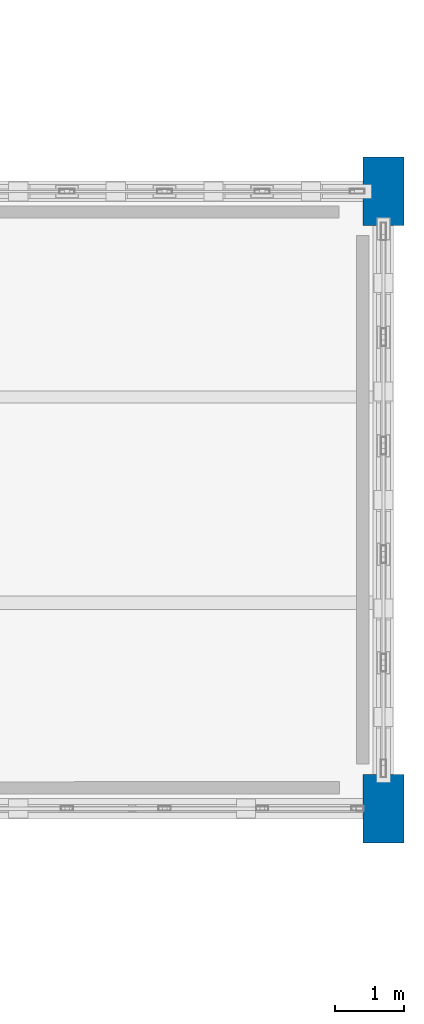
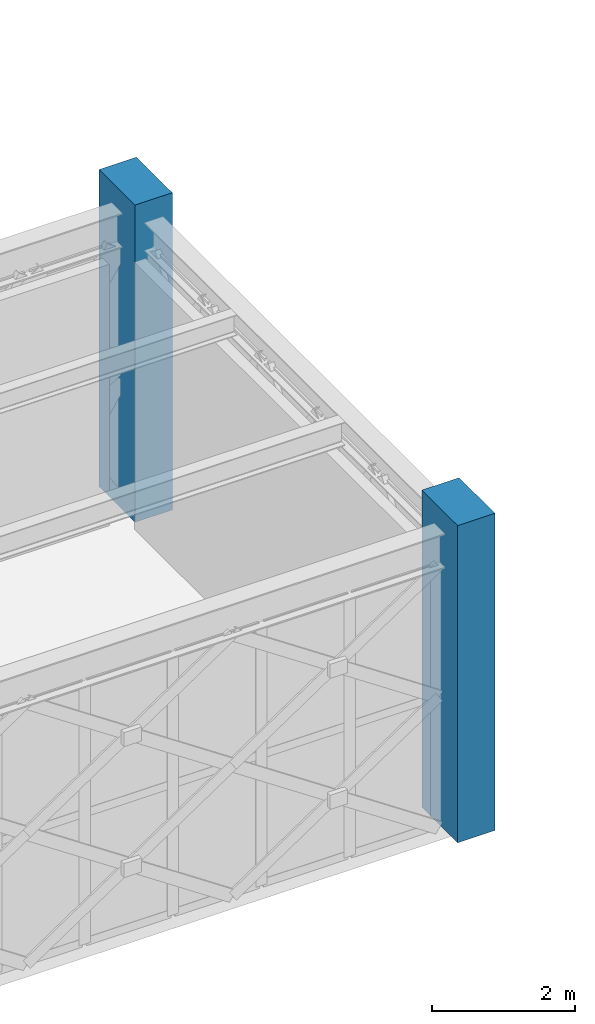
# One storey, part 9 of 155: 2 columns.
"""IFC4 building model written with IfcOpenShell, lengths in metres."""

from ifc_helpers import new_model, si_unit, direction, frame, origin, origin_2d, place, context, subcontext, project, spatial, rectangle, extrude, material, material_profile, profile_set, type_object, element, save


model = new_model("IFC4")

# Units and contexts
model_context = context("Model", 3, precision=1e-05, world=origin(), true_north=direction((0.0, 1.0)))
body_context = subcontext(model_context, "Body", "Model", "MODEL_VIEW")
ifc_project = project(units=[si_unit("LENGTHUNIT", "METRE"), si_unit("AREAUNIT", "SQUARE_METRE"), si_unit("VOLUMEUNIT", "CUBIC_METRE"), si_unit("PLANEANGLEUNIT", "RADIAN"), si_unit("MASSUNIT", "GRAM", prefix="KILO")], contexts=[model_context])

# Site, building, storey
site_placement = place(None, origin())
site = spatial("IfcSite", under=ifc_project, at=site_placement, CompositionType="ELEMENT")
building_placement = place(site_placement, origin())
building = spatial("IfcBuilding", under=site, at=building_placement, Name="Haizhuo Lancet Aquarium", CompositionType="ELEMENT")
storey_placement = place(building_placement, frame((0.0, 0.0, 10.800048828125)))
storey = spatial("IfcBuildingStorey", under=building, at=storey_placement, Name="L02", CompositionType="ELEMENT", Elevation=10.800048828125)

# Columns
ifc_material = material(Name="Concrete C45/55", Category="concrete")
ifc_material_profile = material_profile(ifc_material, rectangle(XDim=0.60009765625, YDim=1.0, at=origin_2d()), Name="RC-PIL 600x1000")
ifc_profile_set = profile_set([ifc_material_profile], Name="Concrete C45/55")
column_type = type_object("IfcColumnType", Name="PIL-RC-600x1000", PredefinedType="PILASTER", material=ifc_profile_set)
for number, where, z_axis, x_axis, name in (
    (1, (82.5, 9.0, 0.0), (0.0, 0.0, 1.0), (1.0, 0.0, 0.0), "L02 column V7-COL-147"),
    (2, (82.5, 18.0, 0.0), (0.0, 0.0, 1.0), (1.0, 0.0, 0.0), "L02 column V7-COL-148"),
):
    element("IfcColumn", number, at=place(storey_placement, frame(where, z_axis=z_axis, x_axis=x_axis)), inside=storey, type_object=column_type, Name=name, PredefinedType="PILASTER", context=body_context, shape_type="SweptSolid", body=[
        extrude(rectangle(XDim=0.60009765625, YDim=1.0, at=origin_2d()), origin(), (0.0, 0.0, 1.0), 5.39990234375),
    ])

save(model, "model.ifc")
